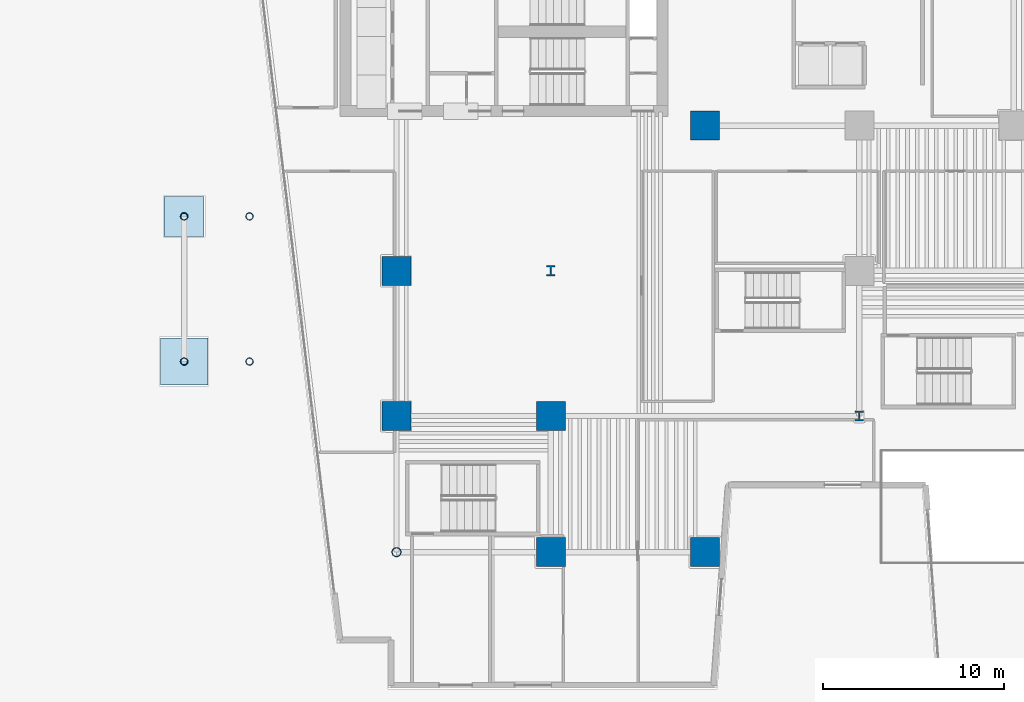
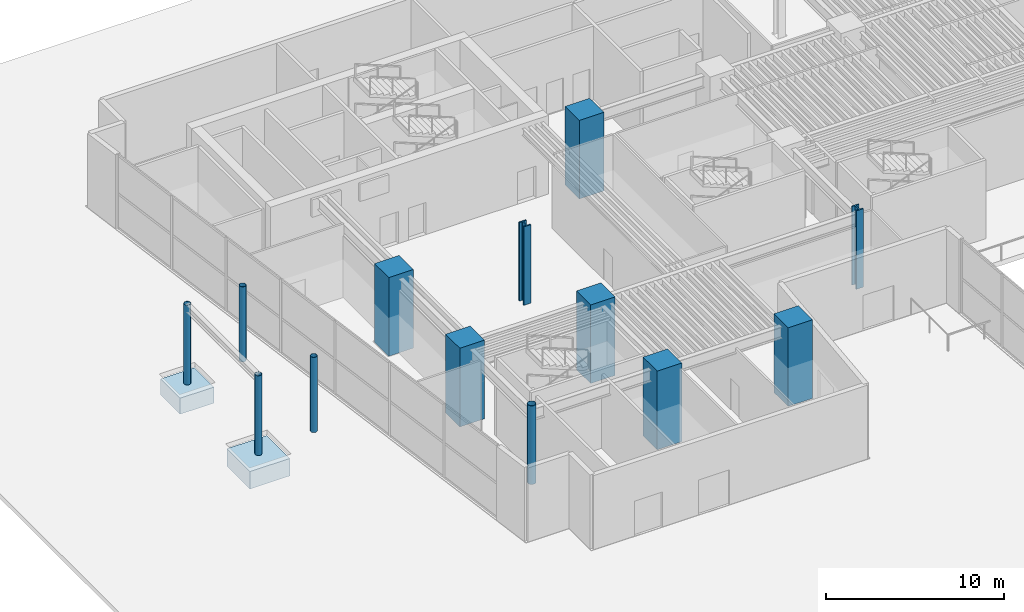
# One storey, part 1 of 18: 13 columns, 2 footings.
"""IFC4 building model written with IfcOpenShell, lengths in metres."""

import ifcopenshell
import ifcopenshell.guid

model = None  # the IFC model being written
_history = None  # IfcOwnerHistory: only IFC2X3 demands one
_inside = {}  # id of a spatial element -> (the spatial element, [elements in it])
_under = {}  # id of a project, library or spatial element -> (it, [spatial elements below it])
_declared = {}  # id of a project -> (the project, [libraries it declares])
_typed = {}  # id of a type object -> (the type object, [elements of that type])
_made_of = {}  # id of a material, layer set ... -> (it, [elements and type objects made of it])


def new_model(schema):
    """Start an empty IFC model of exactly this schema.

    Asked for "IFC4X3", IfcOpenShell would pick the latest addendum, in which some entities
    have other attributes; the version numbers below select the first issue.
    IFC2X3 requires an IfcOwnerHistory on every rooted entity: one is made here for all.
    """
    global model, _history
    if schema == "IFC4X3":
        model = ifcopenshell.file(schema_version=(4, 3, 0, 0))
    else:
        model = ifcopenshell.file(schema=schema)
    _inside.clear()
    _under.clear()
    _declared.clear()
    _typed.clear()
    _made_of.clear()
    _history = None
    if model.schema == "IFC2X3":
        org = make("IfcOrganization", Name="unknown")
        user = make(
            "IfcPersonAndOrganization",
            ThePerson=make("IfcPerson", FamilyName="unknown"),
            TheOrganization=org,
        )
        app = make(
            "IfcApplication",
            ApplicationDeveloper=org,
            Version="unknown",
            ApplicationFullName="unknown",
            ApplicationIdentifier="unknown",
        )
        _history = make(
            "IfcOwnerHistory",
            OwningUser=user,
            OwningApplication=app,
            ChangeAction="ADDED",
            CreationDate=0,
        )
    return model


def make(cls, **values):
    """One entity of the class cls with the attributes given. An attribute that is None is left unset."""
    return model.create_entity(
        cls, **{name: value for name, value in values.items() if value is not None}
    )


def rooted(cls, **values):
    """An entity with a GlobalId (a new one), such as an element, a storey or a relation."""
    return make(cls, GlobalId=ifcopenshell.guid.new(), OwnerHistory=_history, **values)


def si_unit(unit_type, name, prefix=None):
    """IfcSIUnit, for example si_unit("LENGTHUNIT", "METRE", prefix="MILLI")."""
    return make("IfcSIUnit", UnitType=unit_type, Prefix=prefix, Name=name)


def assignment(units):
    """IfcUnitAssignment: the units of a project."""
    return None if units is None else make("IfcUnitAssignment", Units=units)


def point(xyz):
    """IfcCartesianPoint."""
    return None if xyz is None else make("IfcCartesianPoint", Coordinates=xyz)


def direction(xyz):
    """IfcDirection."""
    return None if xyz is None else make("IfcDirection", DirectionRatios=xyz)


def frame(location, z_axis=None, x_axis=None):
    """IfcAxis2Placement3D, a coordinate frame: its origin and axes. An axis left out is left unset."""
    return make(
        "IfcAxis2Placement3D",
        Location=point(location),
        Axis=direction(z_axis),
        RefDirection=direction(x_axis),
    )


def frame_2d(location, x_axis=None):
    """IfcAxis2Placement2D, a coordinate frame in the plane: its origin and x axis."""
    return make(
        "IfcAxis2Placement2D", Location=point(location), RefDirection=direction(x_axis)
    )


def origin():
    """The frame at (0, 0, 0) with its axes left unset."""
    return frame((0.0, 0.0, 0.0))


def origin_2d():
    """The frame at (0, 0) in the plane with its x axis left unset."""
    return frame_2d((0.0, 0.0))


def place(relative_to, where):
    """IfcLocalPlacement: puts the frame where relative to a parent placement (None: the world)."""
    return make(
        "IfcLocalPlacement", PlacementRelTo=relative_to, RelativePlacement=where
    )


def context(
    kind, dimensions, precision=None, world=None, true_north=None, identifier=None
):
    """IfcGeometricRepresentationContext, for example the 3D "Model" context."""
    return make(
        "IfcGeometricRepresentationContext",
        ContextIdentifier=identifier,
        ContextType=kind,
        CoordinateSpaceDimension=dimensions,
        Precision=precision,
        WorldCoordinateSystem=world,
        TrueNorth=true_north,
    )


def subcontext(parent, identifier, kind, view, scale=None):
    """IfcGeometricRepresentationSubContext, for example "Body" below "Model"."""
    return make(
        "IfcGeometricRepresentationSubContext",
        ContextIdentifier=identifier,
        ContextType=kind,
        ParentContext=parent,
        TargetScale=scale,
        TargetView=view,
    )


def project(units=None, contexts=None):
    """IfcProject with its units and contexts."""
    return rooted(
        "IfcProject",
        Name="project",
        RepresentationContexts=contexts,
        UnitsInContext=assignment(units),
    )


def spatial(cls, under=None, at=None, **own):
    """A site, building, storey or space (cls), placed at a placement, below another one or the project."""
    s = rooted(cls, ObjectPlacement=at, **own)
    if under is not None:
        _under.setdefault(under.id(), (under, []))[1].append(s)
    return s


def polyline(points):
    """IfcPolyline through the points."""
    return make("IfcPolyline", Points=[point(p) for p in points])


def profile(cls, at=None, kind="AREA", **sizes):
    """A parametric profile (cls). Its sizes go by their IFC names, for example OverallWidth=200.0."""
    return make(cls, ProfileType=kind, Position=at, **sizes)


def rectangle(**sizes):
    """IfcRectangleProfileDef."""
    return profile("IfcRectangleProfileDef", **sizes)


def hollow_circle(**sizes):
    """IfcCircleHollowProfileDef."""
    return profile("IfcCircleHollowProfileDef", **sizes)


def i_section(**sizes):
    """IfcIShapeProfileDef."""
    return profile("IfcIShapeProfileDef", **sizes)


def outline(outer, holes=None, kind="AREA"):
    """IfcArbitraryClosedProfileDef: a profile drawn as a closed curve; with holes, ...WithVoids."""
    if holes is None:
        return make("IfcArbitraryClosedProfileDef", ProfileType=kind, OuterCurve=outer)
    return make(
        "IfcArbitraryProfileDefWithVoids",
        ProfileType=kind,
        OuterCurve=outer,
        InnerCurves=holes,
    )


def extrude(swept, where, along, depth):
    """IfcExtrudedAreaSolid: the profile swept, set in the frame where, extruded along a direction by depth."""
    return make(
        "IfcExtrudedAreaSolid",
        SweptArea=swept,
        Position=where,
        ExtrudedDirection=direction(along),
        Depth=depth,
    )


def shape(context_of_items, identifier, shape_type, items):
    """IfcShapeRepresentation: the items that make up one representation, for example the "Body"."""
    return make(
        "IfcShapeRepresentation",
        ContextOfItems=context_of_items,
        RepresentationIdentifier=identifier,
        RepresentationType=shape_type,
        Items=items,
    )


def material(Name=None, Category=None):
    """IfcMaterial."""
    return make("IfcMaterial", Name=Name, Category=Category)


def layer(
    of_material, thickness, ventilated=None, Name=None, Category=None, Priority=None
):
    """IfcMaterialLayer: one layer of a wall or slab, of a material (None: an air gap)."""
    return make(
        "IfcMaterialLayer",
        Material=of_material,
        LayerThickness=thickness,
        IsVentilated=ventilated,
        Name=Name,
        Category=Category,
        Priority=Priority,
    )


def layer_set(layers, Name=None):
    """IfcMaterialLayerSet."""
    return make("IfcMaterialLayerSet", MaterialLayers=layers, LayerSetName=Name)


def material_profile(
    of_material, cross_section, Name=None, Category=None, Priority=None
):
    """IfcMaterialProfile: a cross section and its material."""
    return make(
        "IfcMaterialProfile",
        Name=Name,
        Material=of_material,
        Profile=cross_section,
        Priority=Priority,
        Category=Category,
    )


def profile_set(profiles, Name=None, composite=None):
    """IfcMaterialProfileSet."""
    return make(
        "IfcMaterialProfileSet",
        Name=Name,
        MaterialProfiles=profiles,
        CompositeProfile=composite,
    )


def made_of(thing, what):
    """Note that an element or type object is made of a material, layer set ...; save() writes the relation."""
    if what is not None:
        _made_of.setdefault(what.id(), (what, []))[1].append(thing)
    return thing


def type_object(cls, material=None, **own):
    """A type object (cls), such as IfcWallType, which elements share."""
    return made_of(rooted(cls, **own), material)


def element(
    cls,
    number,
    at=None,
    inside=None,
    cuts=None,
    type_object=None,
    material=None,
    context=None,
    identifier="Body",
    shape_type=None,
    held_by="IfcProductDefinitionShape",
    body=None,
    shapes=None,
    **own,
):
    """One element of the class cls, such as IfcWall. Its Tag is "e" and its number.

    at: its placement. inside: the storey or other place that contains it. cuts: it is an
    opening in that element (IfcRelVoidsElement). A single representation is given by context,
    identifier, shape_type and body (its items); several are given by shapes. held_by: the class
    of the entity that holds the representations. save() writes the other relations.
    """
    e = rooted(cls, Tag="e%d" % number, ObjectPlacement=at, **own)
    if body is not None:
        shapes = [shape(context, identifier, shape_type, body)]
    if shapes is not None:
        e.Representation = make(held_by, Representations=shapes)
    if inside is not None:
        _inside.setdefault(inside.id(), (inside, []))[1].append(e)
    if cuts is not None:
        rooted(
            "IfcRelVoidsElement", RelatingBuildingElement=cuts, RelatedOpeningElement=e
        )
    if type_object is not None:
        _typed.setdefault(type_object.id(), (type_object, []))[1].append(e)
    return made_of(e, material)


def aggregate(whole, parts):
    """IfcRelAggregates: a whole, such as a stair, and the parts it consists of."""
    return rooted("IfcRelAggregates", RelatingObject=whole, RelatedObjects=parts)


def save(model, path):
    """Write the relations noted so far, then the file.

    IfcRelAggregates (storeys below a building ...), IfcRelContainedInSpatialStructure (elements
    in a storey), IfcRelDefinesByType, IfcRelAssociatesMaterial and IfcRelDeclares: one each for
    every whole, place, type object, material and project.
    """
    for whole, parts in _under.values():
        aggregate(whole, parts)
    for where, things in _inside.values():
        rooted(
            "IfcRelContainedInSpatialStructure",
            RelatedElements=things,
            RelatingStructure=where,
        )
    for kind, things in _typed.values():
        rooted("IfcRelDefinesByType", RelatedObjects=things, RelatingType=kind)
    for what, things in _made_of.values():
        rooted("IfcRelAssociatesMaterial", RelatedObjects=things, RelatingMaterial=what)
    for by, libraries in _declared.values():
        rooted("IfcRelDeclares", RelatingContext=by, RelatedDefinitions=libraries)
    model.write(path)


model = new_model("IFC4")

# Units and contexts
model_context = context("Model", 3, precision=1e-05, world=origin(), true_north=direction((0.0, 1.0)))
body_context = subcontext(model_context, "Body", "Model", "MODEL_VIEW")
ifc_project = project(units=[si_unit("LENGTHUNIT", "METRE"), si_unit("AREAUNIT", "SQUARE_METRE"), si_unit("VOLUMEUNIT", "CUBIC_METRE"), si_unit("PLANEANGLEUNIT", "RADIAN"), si_unit("MASSUNIT", "GRAM", prefix="KILO")], contexts=[model_context])

# Site, building, storey
site_placement = place(None, origin())
site = spatial("IfcSite", under=ifc_project, at=site_placement, CompositionType="ELEMENT")
building_placement = place(site_placement, origin())
building = spatial("IfcBuilding", under=site, at=building_placement, Name="Caeloran Harvest Quay", CompositionType="ELEMENT")
storey_placement = place(building_placement, origin())
storey = spatial("IfcBuildingStorey", under=building, at=storey_placement, Name="L01", CompositionType="ELEMENT", Elevation=0.0)

# Footings
ifc_material_1 = material(Name="Concrete C60/75", Category="concrete")
ifc_layer_1 = layer(ifc_material_1, 1.199951171875, Name="Concrete C60/75")
ifc_layer_set_1 = layer_set([ifc_layer_1], Name="Concrete C60/75")
footing_type_1 = type_object("IfcFootingType", Name="PAD-PF1-2600", PredefinedType="PAD_FOOTING", material=ifc_layer_set_1)
footing_1_placement = place(storey_placement, frame((0.0, 0.0, -1.52001953125)))
element("IfcFooting", 1, at=footing_1_placement, inside=storey, type_object=footing_type_1, Name="Waterfront Canopy Pad Footing PF-1", PredefinedType="PAD_FOOTING", context=body_context, shape_type="SweptSolid", body=[
    extrude(outline(polyline([(-4.5, 16.699951171875), (-1.89990234375, 16.699951171875), (-1.89990234375, 19.300048828125), (-4.5, 19.300048828125), (-4.5, 16.699951171875)])), origin(), (0.0, 0.0, 1.0), 1.199951171875),
])
ifc_layer_2 = layer(ifc_material_1, 1.10009765625, Name="Concrete C60/75")
ifc_layer_set_2 = layer_set([ifc_layer_2], Name="Concrete C60/75")
footing_type_2 = type_object("IfcFootingType", Name="PAD-PF2-2200", PredefinedType="PAD_FOOTING", material=ifc_layer_set_2)
footing_2_placement = place(storey_placement, frame((0.0, 0.0, -1.419921875)))
element("IfcFooting", 2, at=footing_2_placement, inside=storey, type_object=footing_type_2, Name="Waterfront Canopy Pad Footing PF-2", PredefinedType="PAD_FOOTING", context=body_context, shape_type="SweptSolid", body=[
    extrude(outline(polyline([(-4.300048828125, 24.89990234375), (-2.10009765625, 24.89990234375), (-2.10009765625, 27.10009765625), (-4.300048828125, 27.10009765625), (-4.300048828125, 24.89990234375)])), origin(), (0.0, 0.0, 1.0), 1.099853515625),
])

# Columns
ifc_material_2 = material(Name="Steel HISTAR 460", Category="steel")
ifc_material_profile_1 = material_profile(ifc_material_2, hollow_circle(Radius=0.25390625, WallThickness=0.02490234375, at=origin_2d()), Name="CHS 508x25")
ifc_profile_set_1 = profile_set([ifc_material_profile_1], Name="Steel HISTAR 460")
column_type_1 = type_object("IfcColumnType", Name="COL-CC-1-CHS_508x25", PredefinedType="COLUMN", material=ifc_profile_set_1)
column_1_placement = place(storey_placement, frame((8.5, 7.5, 0.0), z_axis=(0.0, 0.0, 1.0), x_axis=(1.0, 0.0, 0.0)))
element("IfcColumn", 3, at=column_1_placement, inside=storey, type_object=column_type_1, Name="L01 Structural Column (8.5, 7.5)", PredefinedType="COLUMN", context=body_context, shape_type="SweptSolid", body=[
    extrude(hollow_circle(Radius=0.25390625, WallThickness=0.02490234375, at=origin_2d()), origin(), (0.0, 0.0, 1.0), 5.39990234375),
])
ifc_material_3 = material(Name="Steel S355J2", Category="steel")
ifc_material_profile_2 = material_profile(ifc_material_3, hollow_circle(Radius=0.203125, WallThickness=0.02001953125, at=origin_2d()), Name="CHS 406.4x20")
ifc_profile_set_2 = profile_set([ifc_material_profile_2], Name="Steel S355J2")
column_type_2 = type_object("IfcColumnType", Name="COL-CC-2-CHS_406.4x20", PredefinedType="COLUMN", material=ifc_profile_set_2)
column_2_placement = place(storey_placement, frame((-3.199951171875, 18.0, -0.320068359375), z_axis=(0.0, 0.0, 1.0), x_axis=(1.0, 0.0, 0.0)))
element("IfcColumn", 4, at=column_2_placement, inside=storey, type_object=column_type_2, Name="Waterfront Entrance Canopy West Column 1", PredefinedType="COLUMN", context=body_context, shape_type="SweptSolid", body=[
    extrude(hollow_circle(Radius=0.203125, WallThickness=0.02001953125, at=origin_2d()), origin(), (0.0, 0.0, 1.0), 5.47998046875),
])
column_3_placement = place(storey_placement, frame((0.39990234375, 18.0, 0.0), z_axis=(0.0, 0.0, 1.0), x_axis=(1.0, 0.0, 0.0)))
element("IfcColumn", 5, at=column_3_placement, inside=storey, type_object=column_type_2, Name="Waterfront Entrance Canopy East Pilaster Column 1", PredefinedType="COLUMN", context=body_context, shape_type="SweptSolid", body=[
    extrude(hollow_circle(Radius=0.203125, WallThickness=0.02001953125, at=origin_2d()), origin(), (0.0, 0.0, 1.0), 5.159912109375),
])
column_4_placement = place(storey_placement, frame((-3.199951171875, 26.0, -0.320068359375), z_axis=(0.0, 0.0, 1.0), x_axis=(1.0, 0.0, 0.0)))
element("IfcColumn", 6, at=column_4_placement, inside=storey, type_object=column_type_2, Name="Waterfront Entrance Canopy West Column 2", PredefinedType="COLUMN", context=body_context, shape_type="SweptSolid", body=[
    extrude(hollow_circle(Radius=0.203125, WallThickness=0.02001953125, at=origin_2d()), origin(), (0.0, 0.0, 1.0), 5.47998046875),
])
column_5_placement = place(storey_placement, frame((0.39990234375, 26.0, 0.0), z_axis=(0.0, 0.0, 1.0), x_axis=(1.0, 0.0, 0.0)))
element("IfcColumn", 7, at=column_5_placement, inside=storey, type_object=column_type_2, Name="Waterfront Entrance Canopy East Pilaster Column 2", PredefinedType="COLUMN", context=body_context, shape_type="SweptSolid", body=[
    extrude(hollow_circle(Radius=0.203125, WallThickness=0.02001953125, at=origin_2d()), origin(), (0.0, 0.0, 1.0), 5.159912109375),
])
ifc_material_4 = material(Name="Concrete C80/95", Category="concrete")
ifc_material_profile_3 = material_profile(ifc_material_4, rectangle(XDim=1.60009765625, YDim=1.60009765625, at=origin_2d()), Name="RC 1600x1600")
ifc_profile_set_3 = profile_set([ifc_material_profile_3], Name="Concrete C80/95")
column_type_3 = type_object("IfcColumnType", Name="COL-MC-1-RC_1600x1600", PredefinedType="COLUMN", material=ifc_profile_set_3)
for number, where, z_axis, x_axis, name in (
    (8, (8.5, 15.0, 0.0), (0.0, 0.0, 1.0), (1.0, 0.0, 0.0), "L01 Structural Column (8.5, 15.0)"),
    (9, (8.5, 23.0, 0.0), (0.0, 0.0, 1.0), (1.0, 0.0, 0.0), "L01 Structural Column (8.5, 23.0)"),
    (10, (17.0, 7.5, 0.0), (0.0, 0.0, 1.0), (1.0, 0.0, 0.0), "L01 Structural Column (17.0, 7.5)"),
    (11, (17.0, 15.0, 0.0), (0.0, 0.0, 1.0), (1.0, 0.0, 0.0), "L01 Structural Column (17.0, 15.0)"),
    (12, (25.5, 7.5, 0.0), (0.0, 0.0, 1.0), (1.0, 0.0, 0.0), "L01 Structural Column (25.5, 7.5)"),
    (13, (25.5, 31.0, 0.0), (0.0, 0.0, 1.0), (1.0, 0.0, 0.0), "L01 Structural Column (25.5, 31.0)"),
):
    element("IfcColumn", number, at=place(storey_placement, frame(where, z_axis=z_axis, x_axis=x_axis)), inside=storey, type_object=column_type_3, Name=name, PredefinedType="COLUMN", context=body_context, shape_type="SweptSolid", body=[
        extrude(rectangle(XDim=1.60009765625, YDim=1.60009765625, at=origin_2d()), origin(), (0.0, 0.0, 1.0), 5.39990234375),
    ])
ifc_material_profile_4 = material_profile(ifc_material_2, i_section(OverallWidth=0.4541015625, OverallDepth=0.569091796875, WebThickness=0.077880859375, FlangeThickness=0.080078125, FilletRadius=0.014892578125, at=origin_2d()), Name="HD 400x1086")
ifc_profile_set_4 = profile_set([ifc_material_profile_4], Name="Steel HISTAR 460")
column_type_4 = type_object("IfcColumnType", Name="COL-SC-1-HD_400x1086", PredefinedType="COLUMN", material=ifc_profile_set_4)
for number, where, z_axis, x_axis, name in (
    (14, (17.0, 23.0, 0.0), (0.0, 0.0, 1.0), (1.0, 0.0, 0.0), "L01 Structural Column (17.0, 23.0)"),
    (15, (34.0, 15.0, 0.0), (0.0, 0.0, 1.0), (1.0, 0.0, 0.0), "L01 Structural Column (34.0, 15.0)"),
):
    element("IfcColumn", number, at=place(storey_placement, frame(where, z_axis=z_axis, x_axis=x_axis)), inside=storey, type_object=column_type_4, Name=name, PredefinedType="COLUMN", context=body_context, shape_type="SweptSolid", body=[
        extrude(i_section(OverallWidth=0.4541015625, OverallDepth=0.569091796875, WebThickness=0.077880859375, FlangeThickness=0.080078125, FilletRadius=0.014892578125, at=origin_2d()), origin(), (0.0, 0.0, 1.0), 5.39990234375),
    ])

save(model, "model.ifc")
